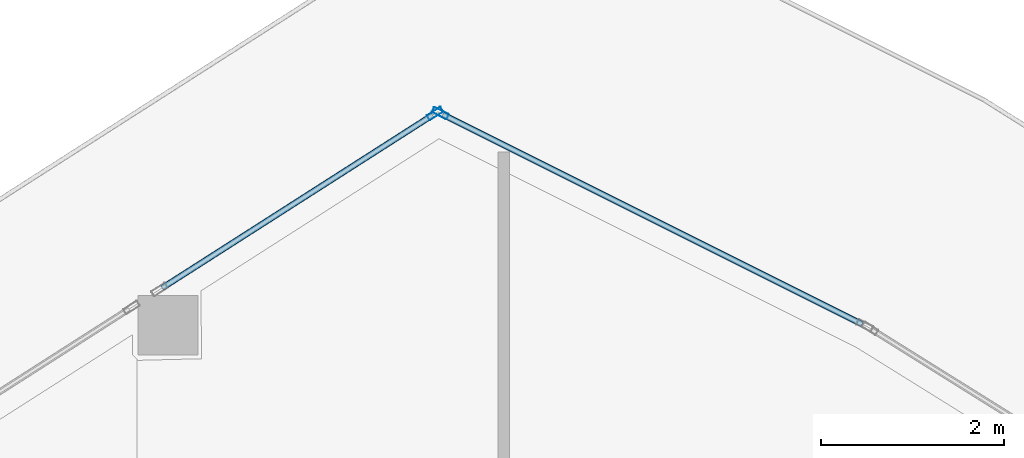
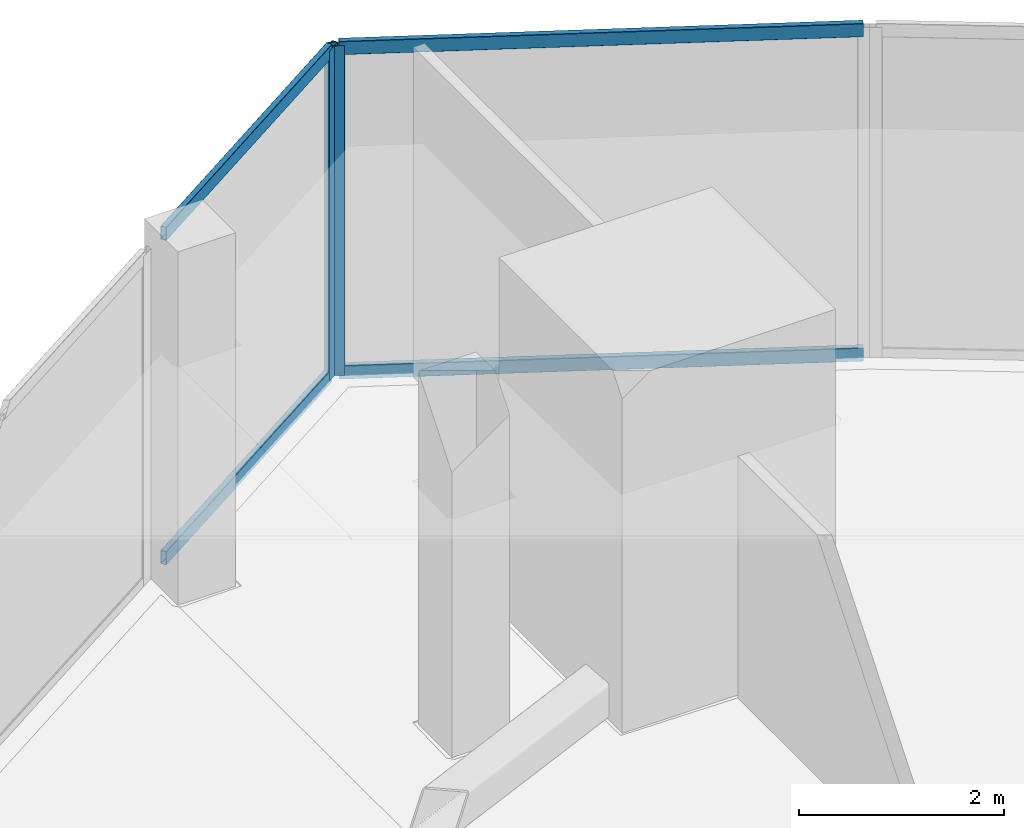
# One storey, part 32 of 52: 6 members, 2 elements without a shape of their own.
"""IFC4 building model written with IfcOpenShell, lengths in metres."""

from ifc_helpers import new_model, si_unit, direction, frame, origin, origin_2d, place, context, subcontext, project, spatial, hollow_rectangle, extrude, material, layer, layer_set, material_profile, profile_set, type_object, element, aggregate, save


model = new_model("IFC4")

# Units and contexts
model_context = context("Model", 3, precision=1e-05, world=origin(), true_north=direction((0.0, 1.0)))
body_context = subcontext(model_context, "Body", "Model", "MODEL_VIEW")
ifc_project = project(units=[si_unit("LENGTHUNIT", "METRE"), si_unit("AREAUNIT", "SQUARE_METRE"), si_unit("VOLUMEUNIT", "CUBIC_METRE"), si_unit("PLANEANGLEUNIT", "RADIAN"), si_unit("MASSUNIT", "GRAM", prefix="KILO")], contexts=[model_context])

# Site, building, storey
site_placement = place(None, origin())
site = spatial("IfcSite", under=ifc_project, at=site_placement, CompositionType="ELEMENT")
building_placement = place(site_placement, origin())
building = spatial("IfcBuilding", under=site, at=building_placement, Name="Qorvath Tower", CompositionType="ELEMENT")
storey_placement = place(building_placement, frame((0.0, 0.0, 61.800048828125)))
storey = spatial("IfcBuildingStorey", under=building, at=storey_placement, Name="L13", CompositionType="ELEMENT", Elevation=61.800048828125)

# Curtain wall, member
ifc_material_1 = material(Name="Anodised aluminium and triple low-E glass", Category="aluminium")
ifc_layer = layer(ifc_material_1, 0.179931640625)
ifc_layer_set = layer_set([ifc_layer], Name="CW-SYS-2")
curtain_wall_type = type_object("IfcCurtainWallType", Name="CW-SYS-2", PredefinedType="NOTDEFINED", material=ifc_layer_set)
curtain_wall_1_placement = place(storey_placement, origin())
curtain_wall_1 = element("IfcCurtainWall", 1, at=curtain_wall_1_placement, inside=storey, type_object=curtain_wall_type, Name="Curtain Wall CW-2 CW-T-L13-15.1", PredefinedType="NOTDEFINED")
ifc_material_2 = material(Name="Anodised aluminium 6063-T6", Category="aluminium")
ifc_material_profile_1 = material_profile(ifc_material_2, hollow_rectangle(XDim=0.06494140625, YDim=0.179931640625, WallThickness=0.00341796875, InnerFilletRadius=0.00341796875, OuterFilletRadius=0.007080078125, at=origin_2d()), Name="CWM 180x65")
ifc_profile_set_1 = profile_set([ifc_material_profile_1], Name="Anodised aluminium 6063-T6")
member_type_1 = type_object("IfcMemberType", Name="CWM-180", PredefinedType="MULLION", material=ifc_profile_set_1)
member_1_placement = place(storey_placement, frame((-15.029052734375, 32.811279296875, 0.0), z_axis=(0.0, 0.0, 1.0), x_axis=(-0.447213595499, -0.894427191001, 0.0)))
member_1 = element("IfcMember", 2, at=member_1_placement, type_object=member_type_1, Name="CW-2 mullion 2", PredefinedType="MULLION", context=body_context, shape_type="SweptSolid", body=[
    extrude(hollow_rectangle(XDim=0.06494140625, YDim=0.179931640625, WallThickness=0.00341796875, InnerFilletRadius=0.00341796875, OuterFilletRadius=0.007080078125, at=origin_2d()), origin(), (0.0, 0.0, 1.0), 3.919921875),
])

curtain_wall_2_placement = place(storey_placement, origin())
curtain_wall_2 = element("IfcCurtainWall", 3, at=curtain_wall_2_placement, inside=storey, type_object=curtain_wall_type, Name="Curtain Wall CW-2 CW-T-L13-16.1", PredefinedType="NOTDEFINED")
member_2_placement = place(storey_placement, frame((-15.08544921875, 32.808349609375, 0.0), z_axis=(0.0, 0.0, 1.0), x_axis=(0.53850821823, -0.842620257826, 0.0)))
member_2 = element("IfcMember", 4, at=member_2_placement, type_object=member_type_1, Name="CW-2 mullion 1", PredefinedType="MULLION", context=body_context, shape_type="SweptSolid", body=[
    extrude(hollow_rectangle(XDim=0.06494140625, YDim=0.179931640625, WallThickness=0.00341796875, InnerFilletRadius=0.00341796875, OuterFilletRadius=0.007080078125, at=origin_2d()), origin(), (0.0, 0.0, 1.0), 3.919921875),
])

# Member
ifc_material_3 = material(Name="Anodised aluminium 6063-T6", Category="aluminium")
ifc_material_profile_2 = material_profile(ifc_material_3, hollow_rectangle(XDim=0.06494140625, YDim=0.159912109375, WallThickness=0.00341796875, InnerFilletRadius=0.00341796875, OuterFilletRadius=0.007080078125, at=origin_2d()), Name="CWT 160x65")
ifc_profile_set_2 = profile_set([ifc_material_profile_2], Name="Anodised aluminium 6063-T6")
member_type_2 = type_object("IfcMemberType", Name="CWT-160", PredefinedType="USERDEFINED", material=ifc_profile_set_2)
member_3_placement = place(storey_placement, frame((-10.4267578125, 30.51025390625, 0.032470703125), z_axis=(-0.894427191, 0.4472135955, 0.0), x_axis=(-0.4472135955, -0.894427191, 0.0)))
member_3 = element("IfcMember", 5, at=member_3_placement, type_object=member_type_2, Name="CW-2 transom 1.1", ObjectType="TRANSOM", PredefinedType="USERDEFINED", context=body_context, shape_type="SweptSolid", body=[
    extrude(hollow_rectangle(XDim=0.06494140625, YDim=0.159912109375, WallThickness=0.00341796875, InnerFilletRadius=0.00341796875, OuterFilletRadius=0.007080078125, at=origin_2d()), origin(), (0.0, 0.0, 1.0), 5.113037109375),
])

member_4_placement = place(storey_placement, frame((-10.4267578125, 30.51025390625, 3.887451171875), z_axis=(-0.894427191, 0.4472135955, 0.0), x_axis=(-0.4472135955, -0.894427191, 0.0)))
member_4 = element("IfcMember", 6, at=member_4_placement, type_object=member_type_2, Name="CW-2 transom 1.2", ObjectType="TRANSOM", PredefinedType="USERDEFINED", context=body_context, shape_type="SweptSolid", body=[
    extrude(hollow_rectangle(XDim=0.06494140625, YDim=0.159912109375, WallThickness=0.00341796875, InnerFilletRadius=0.00341796875, OuterFilletRadius=0.007080078125, at=origin_2d()), origin(), (0.0, 0.0, 1.0), 5.113037109375),
])

aggregate(curtain_wall_1, [member_1, member_3, member_4])

member_5_placement = place(storey_placement, frame((-15.11279296875, 32.791015625, 0.032470703125), z_axis=(-0.842609271125, -0.538525409071, 0.0), x_axis=(0.538525409071, -0.842609271125, 0.0)))
member_5 = element("IfcMember", 7, at=member_5_placement, type_object=member_type_2, Name="CW-2 transom 1.1", ObjectType="TRANSOM", PredefinedType="USERDEFINED", context=body_context, shape_type="SweptSolid", body=[
    extrude(hollow_rectangle(XDim=0.06494140625, YDim=0.159912109375, WallThickness=0.00341796875, InnerFilletRadius=0.00341796875, OuterFilletRadius=0.007080078125, at=origin_2d()), origin(), (0.0, 0.0, 1.0), 3.502197265625),
])

member_6_placement = place(storey_placement, frame((-15.11279296875, 32.791015625, 3.887451171875), z_axis=(-0.842609271125, -0.538525409071, 0.0), x_axis=(0.538525409071, -0.842609271125, 0.0)))
member_6 = element("IfcMember", 8, at=member_6_placement, type_object=member_type_2, Name="CW-2 transom 1.2", ObjectType="TRANSOM", PredefinedType="USERDEFINED", context=body_context, shape_type="SweptSolid", body=[
    extrude(hollow_rectangle(XDim=0.06494140625, YDim=0.159912109375, WallThickness=0.00341796875, InnerFilletRadius=0.00341796875, OuterFilletRadius=0.007080078125, at=origin_2d()), origin(), (0.0, 0.0, 1.0), 3.502197265625),
])

aggregate(curtain_wall_2, [member_2, member_5, member_6])

save(model, "model.ifc")
